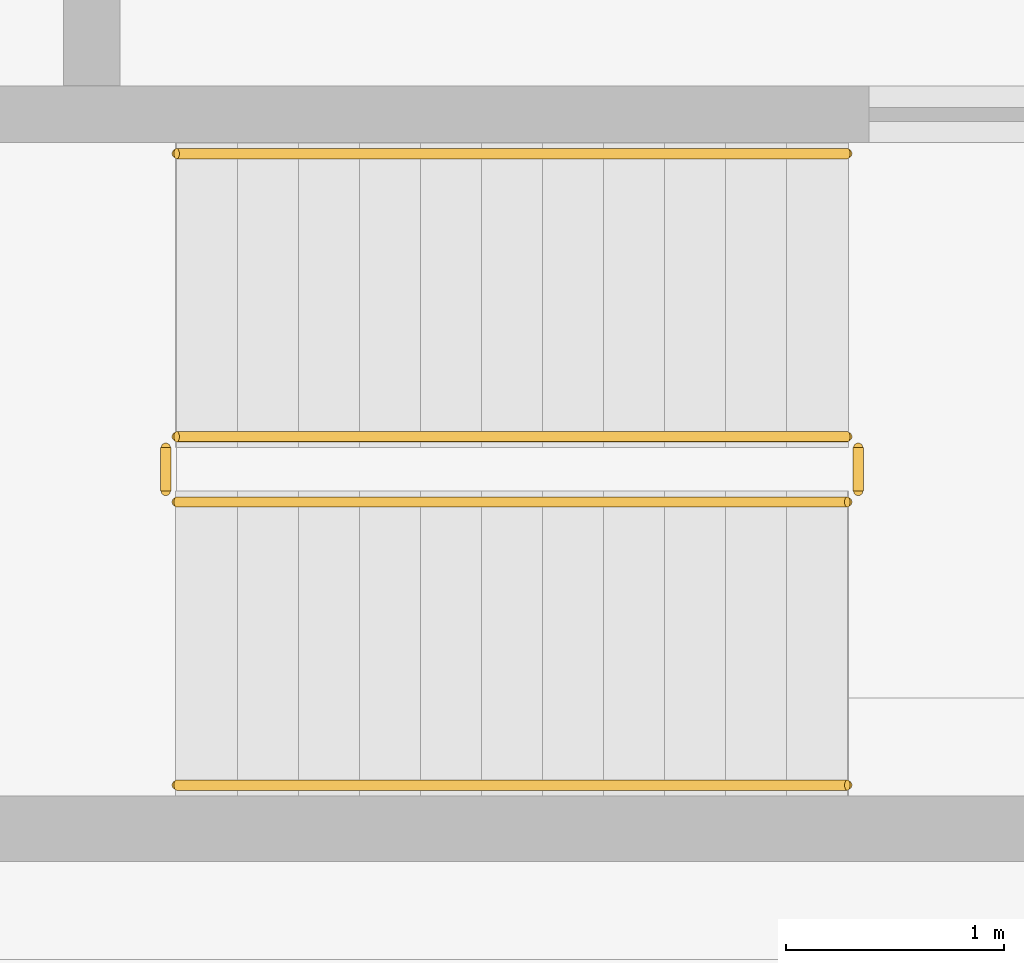
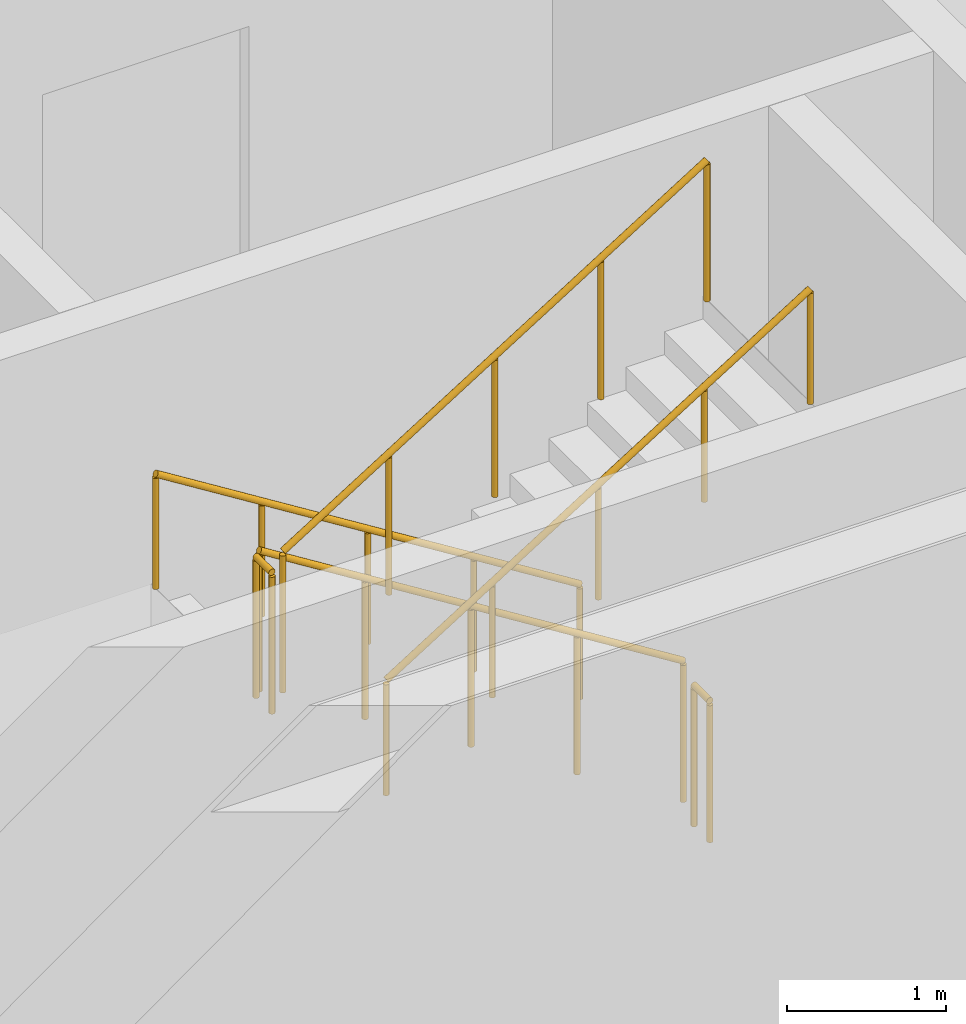
# One storey, part 37 of 41: 6 railings.
"""IFC4 building model written with IfcOpenShell, lengths in metres."""

from ifc_helpers import new_model, si_unit, direction, frame, origin, origin_2d, place, context, subcontext, project, spatial, circle, extrude, material, type_object, element, save


model = new_model("IFC4")

# Units and contexts
model_context = context("Model", 3, precision=1e-05, world=origin(), true_north=direction((0.0, 1.0)))
body_context = subcontext(model_context, "Body", "Model", "MODEL_VIEW")
ifc_project = project(units=[si_unit("LENGTHUNIT", "METRE"), si_unit("AREAUNIT", "SQUARE_METRE"), si_unit("VOLUMEUNIT", "CUBIC_METRE"), si_unit("PLANEANGLEUNIT", "RADIAN"), si_unit("MASSUNIT", "GRAM", prefix="KILO")], contexts=[model_context])

# Site, building, storey
site_placement = place(None, origin())
site = spatial("IfcSite", under=ifc_project, at=site_placement, CompositionType="ELEMENT")
building_placement = place(site_placement, origin())
building = spatial("IfcBuilding", under=site, at=building_placement, Name="Fikremerkos Civic Library", CompositionType="ELEMENT")
storey_placement = place(building_placement, frame((0.0, 0.0, -8.39990234375)))
storey = spatial("IfcBuildingStorey", under=building, at=storey_placement, Name="B02", CompositionType="ELEMENT", Elevation=-8.39990234375)

# Railings
ifc_material_1 = material(Name="Painted Steel S275", Category="steel")
railing_type_1 = type_object("IfcRailingType", Name="Interior balustrade guard RLG-INT 1100", PredefinedType="BALUSTRADE", material=ifc_material_1)
railing_1_placement = place(storey_placement, frame((80.699951171875, 98.75, 0.1748046875)))
element("IfcRailing", 1, at=railing_1_placement, inside=storey, type_object=railing_type_1, Name="B02 ST-K5 stair guard 1", PredefinedType="BALUSTRADE", context=body_context, shape_type="SweptSolid", body=[
    extrude(circle(Radius=0.02392578125, at=origin_2d()), frame((0.0, 0.0, 1.076171875), z_axis=(-0.847979421464, 0.0, 0.530029150871), x_axis=(0.0, -1.0, 0.0)), (0.0, 0.0, 1.0), 3.632080078125),
    extrude(circle(Radius=0.02099609375, at=origin_2d()), origin(), (0.0, 0.0, 1.0), 1.052001953125),
    extrude(circle(Radius=0.02099609375, at=origin_2d()), frame((-0.77001953125, 0.0, 0.481201171875)), (0.0, 0.0, 1.0), 1.052001953125),
    extrude(circle(Radius=0.02099609375, at=origin_2d()), frame((-1.5400390625, 0.0, 0.96240234375)), (0.0, 0.0, 1.0), 1.052001953125),
    extrude(circle(Radius=0.02099609375, at=origin_2d()), frame((-2.309814453125, 0.0, 1.44384765625)), (0.0, 0.0, 1.0), 1.052001953125),
    extrude(circle(Radius=0.02099609375, at=origin_2d()), frame((-3.079833984375, 0.0, 1.925048828125)), (0.0, 0.0, 1.0), 1.052001953125),
])
railing_2_placement = place(storey_placement, frame((77.570068359375, 98.699951171875, 2.099853515625)))
element("IfcRailing", 2, at=railing_2_placement, inside=storey, type_object=railing_type_1, Name="B02 ST-K5 stair guard 2", PredefinedType="BALUSTRADE", context=body_context, shape_type="SweptSolid", body=[
    extrude(circle(Radius=0.02392578125, at=origin_2d()), frame((0.0, 0.0, 1.076171875), z_axis=(0.0, -1.0, 0.0), x_axis=(1.0, 0.0, 0.0)), (0.0, 0.0, 1.0), 0.199951171875),
    extrude(circle(Radius=0.02099609375, at=origin_2d()), origin(), (0.0, 0.0, 1.0), 1.052001953125),
    extrude(circle(Radius=0.02099609375, at=origin_2d()), frame((0.0, -0.199951171875, 0.0)), (0.0, 0.0, 1.0), 1.052001953125),
])
railing_3_placement = place(storey_placement, frame((77.6201171875, 98.449951171875, 2.27490234375)))
element("IfcRailing", 3, at=railing_3_placement, inside=storey, type_object=railing_type_1, Name="B02 ST-K5 stair guard 3", PredefinedType="BALUSTRADE", context=body_context, shape_type="SweptSolid", body=[
    extrude(circle(Radius=0.02392578125, at=origin_2d()), frame((0.0, 0.0, 1.076171875), z_axis=(0.847979421464, 0.0, 0.530029150871), x_axis=(0.0, 1.0, 0.0)), (0.0, 0.0, 1.0), 3.632080078125),
    extrude(circle(Radius=0.02099609375, at=origin_2d()), origin(), (0.0, 0.0, 1.0), 1.052001953125),
    extrude(circle(Radius=0.02099609375, at=origin_2d()), frame((0.77001953125, 0.0, 0.481201171875)), (0.0, 0.0, 1.0), 1.052001953125),
    extrude(circle(Radius=0.02099609375, at=origin_2d()), frame((1.5400390625, 0.0, 0.96240234375)), (0.0, 0.0, 1.0), 1.052001953125),
    extrude(circle(Radius=0.02099609375, at=origin_2d()), frame((2.309814453125, 0.0, 1.44384765625)), (0.0, 0.0, 1.0), 1.052001953125),
    extrude(circle(Radius=0.02099609375, at=origin_2d()), frame((3.079833984375, 0.0, 1.925048828125)), (0.0, 0.0, 1.0), 1.052001953125),
])
railing_4_placement = place(storey_placement, frame((80.75, 98.699951171875, 0.0)))
element("IfcRailing", 4, at=railing_4_placement, inside=storey, type_object=railing_type_1, Name="B02 ST-K5 stair guard 4", PredefinedType="BALUSTRADE", context=body_context, shape_type="SweptSolid", body=[
    extrude(circle(Radius=0.02392578125, at=origin_2d()), frame((0.0, 0.0, 1.076171875), z_axis=(0.0, -1.0, 0.0), x_axis=(1.0, 0.0, 0.0)), (0.0, 0.0, 1.0), 0.199951171875),
    extrude(circle(Radius=0.02099609375, at=origin_2d()), origin(), (0.0, 0.0, 1.0), 1.052001953125),
    extrude(circle(Radius=0.02099609375, at=origin_2d()), frame((0.0, -0.199951171875, 0.0)), (0.0, 0.0, 1.0), 1.052001953125),
])
ifc_material_2 = material(Name="Brushed stainless steel", Category="steel")
railing_type_2 = type_object("IfcRailingType", Name="Wall and flight handrail HRL-01 900", PredefinedType="HANDRAIL", material=ifc_material_2)
railing_5_placement = place(storey_placement, frame((80.699951171875, 100.050048828125, 0.1748046875)))
element("IfcRailing", 5, at=railing_5_placement, inside=storey, type_object=railing_type_2, Name="B02 ST-K5 stair handrail 1", PredefinedType="HANDRAIL", context=body_context, shape_type="SweptSolid", body=[
    extrude(circle(Radius=0.02392578125, at=origin_2d()), frame((0.0, 0.0, 0.8759765625), z_axis=(-0.847979421464, 0.0, 0.530029150871), x_axis=(0.0, -1.0, 0.0)), (0.0, 0.0, 1.0), 3.632080078125),
    extrude(circle(Radius=0.02099609375, at=origin_2d()), origin(), (0.0, 0.0, 1.0), 0.851806640625),
    extrude(circle(Radius=0.02099609375, at=origin_2d()), frame((-0.77001953125, 0.0, 0.481201171875)), (0.0, 0.0, 1.0), 0.851806640625),
    extrude(circle(Radius=0.02099609375, at=origin_2d()), frame((-1.5400390625, 0.0, 0.96240234375)), (0.0, 0.0, 1.0), 0.851806640625),
    extrude(circle(Radius=0.02099609375, at=origin_2d()), frame((-2.309814453125, 0.0, 1.44384765625)), (0.0, 0.0, 1.0), 0.851806640625),
    extrude(circle(Radius=0.02099609375, at=origin_2d()), frame((-3.079833984375, 0.0, 1.925048828125)), (0.0, 0.0, 1.0), 0.851806640625),
])
railing_6_placement = place(storey_placement, frame((77.6201171875, 97.14990234375, 2.27490234375)))
element("IfcRailing", 6, at=railing_6_placement, inside=storey, type_object=railing_type_2, Name="B02 ST-K5 stair handrail 2", PredefinedType="HANDRAIL", context=body_context, shape_type="SweptSolid", body=[
    extrude(circle(Radius=0.02392578125, at=origin_2d()), frame((0.0, 0.0, 0.8759765625), z_axis=(0.847979421464, 0.0, 0.530029150871), x_axis=(0.0, 1.0, 0.0)), (0.0, 0.0, 1.0), 3.632080078125),
    extrude(circle(Radius=0.02099609375, at=origin_2d()), origin(), (0.0, 0.0, 1.0), 0.851806640625),
    extrude(circle(Radius=0.02099609375, at=origin_2d()), frame((0.77001953125, 0.0, 0.481201171875)), (0.0, 0.0, 1.0), 0.851806640625),
    extrude(circle(Radius=0.02099609375, at=origin_2d()), frame((1.5400390625, 0.0, 0.96240234375)), (0.0, 0.0, 1.0), 0.851806640625),
    extrude(circle(Radius=0.02099609375, at=origin_2d()), frame((2.309814453125, 0.0, 1.44384765625)), (0.0, 0.0, 1.0), 0.851806640625),
    extrude(circle(Radius=0.02099609375, at=origin_2d()), frame((3.079833984375, 0.0, 1.925048828125)), (0.0, 0.0, 1.0), 0.851806640625),
])

save(model, "model.ifc")
